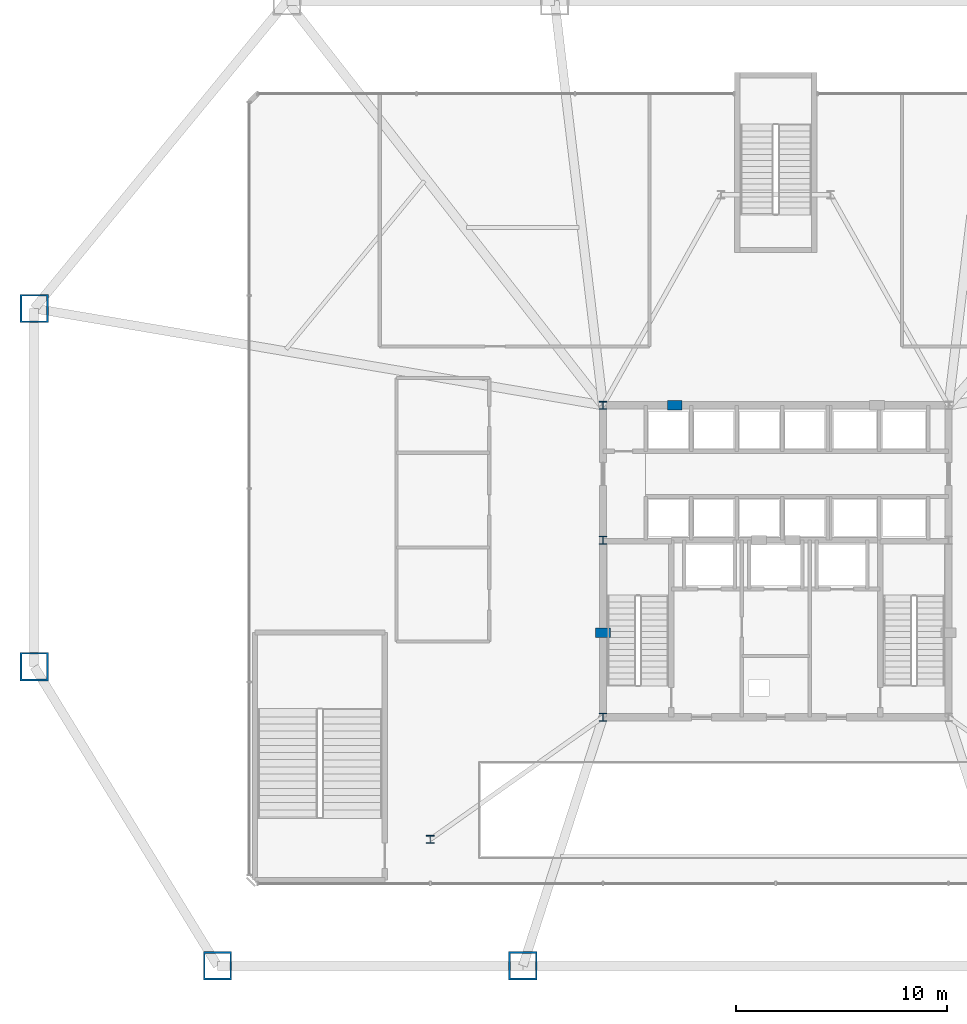
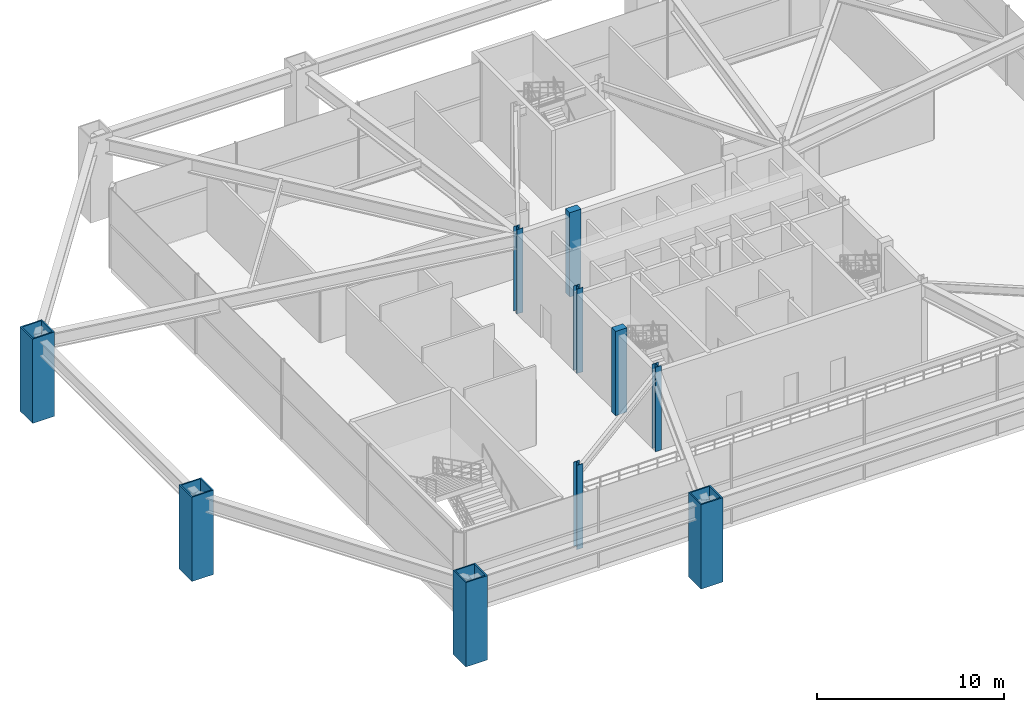
# One storey, part 1 of 18: 10 columns.
"""IFC4 building model written with IfcOpenShell, lengths in metres."""

import ifcopenshell
import ifcopenshell.guid

model = None  # the IFC model being written
_history = None  # IfcOwnerHistory: only IFC2X3 demands one
_inside = {}  # id of a spatial element -> (the spatial element, [elements in it])
_under = {}  # id of a project, library or spatial element -> (it, [spatial elements below it])
_declared = {}  # id of a project -> (the project, [libraries it declares])
_typed = {}  # id of a type object -> (the type object, [elements of that type])
_made_of = {}  # id of a material, layer set ... -> (it, [elements and type objects made of it])


def new_model(schema):
    """Start an empty IFC model of exactly this schema.

    Asked for "IFC4X3", IfcOpenShell would pick the latest addendum, in which some entities
    have other attributes; the version numbers below select the first issue.
    IFC2X3 requires an IfcOwnerHistory on every rooted entity: one is made here for all.
    """
    global model, _history
    if schema == "IFC4X3":
        model = ifcopenshell.file(schema_version=(4, 3, 0, 0))
    else:
        model = ifcopenshell.file(schema=schema)
    _inside.clear()
    _under.clear()
    _declared.clear()
    _typed.clear()
    _made_of.clear()
    _history = None
    if model.schema == "IFC2X3":
        org = make("IfcOrganization", Name="unknown")
        user = make(
            "IfcPersonAndOrganization",
            ThePerson=make("IfcPerson", FamilyName="unknown"),
            TheOrganization=org,
        )
        app = make(
            "IfcApplication",
            ApplicationDeveloper=org,
            Version="unknown",
            ApplicationFullName="unknown",
            ApplicationIdentifier="unknown",
        )
        _history = make(
            "IfcOwnerHistory",
            OwningUser=user,
            OwningApplication=app,
            ChangeAction="ADDED",
            CreationDate=0,
        )
    return model


def make(cls, **values):
    """One entity of the class cls with the attributes given. An attribute that is None is left unset."""
    return model.create_entity(
        cls, **{name: value for name, value in values.items() if value is not None}
    )


def rooted(cls, **values):
    """An entity with a GlobalId (a new one), such as an element, a storey or a relation."""
    return make(cls, GlobalId=ifcopenshell.guid.new(), OwnerHistory=_history, **values)


def si_unit(unit_type, name, prefix=None):
    """IfcSIUnit, for example si_unit("LENGTHUNIT", "METRE", prefix="MILLI")."""
    return make("IfcSIUnit", UnitType=unit_type, Prefix=prefix, Name=name)


def assignment(units):
    """IfcUnitAssignment: the units of a project."""
    return None if units is None else make("IfcUnitAssignment", Units=units)


def point(xyz):
    """IfcCartesianPoint."""
    return None if xyz is None else make("IfcCartesianPoint", Coordinates=xyz)


def direction(xyz):
    """IfcDirection."""
    return None if xyz is None else make("IfcDirection", DirectionRatios=xyz)


def frame(location, z_axis=None, x_axis=None):
    """IfcAxis2Placement3D, a coordinate frame: its origin and axes. An axis left out is left unset."""
    return make(
        "IfcAxis2Placement3D",
        Location=point(location),
        Axis=direction(z_axis),
        RefDirection=direction(x_axis),
    )


def frame_2d(location, x_axis=None):
    """IfcAxis2Placement2D, a coordinate frame in the plane: its origin and x axis."""
    return make(
        "IfcAxis2Placement2D", Location=point(location), RefDirection=direction(x_axis)
    )


def origin():
    """The frame at (0, 0, 0) with its axes left unset."""
    return frame((0.0, 0.0, 0.0))


def origin_2d():
    """The frame at (0, 0) in the plane with its x axis left unset."""
    return frame_2d((0.0, 0.0))


def place(relative_to, where):
    """IfcLocalPlacement: puts the frame where relative to a parent placement (None: the world)."""
    return make(
        "IfcLocalPlacement", PlacementRelTo=relative_to, RelativePlacement=where
    )


def context(
    kind, dimensions, precision=None, world=None, true_north=None, identifier=None
):
    """IfcGeometricRepresentationContext, for example the 3D "Model" context."""
    return make(
        "IfcGeometricRepresentationContext",
        ContextIdentifier=identifier,
        ContextType=kind,
        CoordinateSpaceDimension=dimensions,
        Precision=precision,
        WorldCoordinateSystem=world,
        TrueNorth=true_north,
    )


def subcontext(parent, identifier, kind, view, scale=None):
    """IfcGeometricRepresentationSubContext, for example "Body" below "Model"."""
    return make(
        "IfcGeometricRepresentationSubContext",
        ContextIdentifier=identifier,
        ContextType=kind,
        ParentContext=parent,
        TargetScale=scale,
        TargetView=view,
    )


def project(units=None, contexts=None):
    """IfcProject with its units and contexts."""
    return rooted(
        "IfcProject",
        Name="project",
        RepresentationContexts=contexts,
        UnitsInContext=assignment(units),
    )


def spatial(cls, under=None, at=None, **own):
    """A site, building, storey or space (cls), placed at a placement, below another one or the project."""
    s = rooted(cls, ObjectPlacement=at, **own)
    if under is not None:
        _under.setdefault(under.id(), (under, []))[1].append(s)
    return s


def profile(cls, at=None, kind="AREA", **sizes):
    """A parametric profile (cls). Its sizes go by their IFC names, for example OverallWidth=200.0."""
    return make(cls, ProfileType=kind, Position=at, **sizes)


def rectangle(**sizes):
    """IfcRectangleProfileDef."""
    return profile("IfcRectangleProfileDef", **sizes)


def hollow_rectangle(**sizes):
    """IfcRectangleHollowProfileDef."""
    return profile("IfcRectangleHollowProfileDef", **sizes)


def i_section(**sizes):
    """IfcIShapeProfileDef."""
    return profile("IfcIShapeProfileDef", **sizes)


def extrude(swept, where, along, depth):
    """IfcExtrudedAreaSolid: the profile swept, set in the frame where, extruded along a direction by depth."""
    return make(
        "IfcExtrudedAreaSolid",
        SweptArea=swept,
        Position=where,
        ExtrudedDirection=direction(along),
        Depth=depth,
    )


def shape(context_of_items, identifier, shape_type, items):
    """IfcShapeRepresentation: the items that make up one representation, for example the "Body"."""
    return make(
        "IfcShapeRepresentation",
        ContextOfItems=context_of_items,
        RepresentationIdentifier=identifier,
        RepresentationType=shape_type,
        Items=items,
    )


def material(Name=None, Category=None):
    """IfcMaterial."""
    return make("IfcMaterial", Name=Name, Category=Category)


def material_profile(
    of_material, cross_section, Name=None, Category=None, Priority=None
):
    """IfcMaterialProfile: a cross section and its material."""
    return make(
        "IfcMaterialProfile",
        Name=Name,
        Material=of_material,
        Profile=cross_section,
        Priority=Priority,
        Category=Category,
    )


def profile_set(profiles, Name=None, composite=None):
    """IfcMaterialProfileSet."""
    return make(
        "IfcMaterialProfileSet",
        Name=Name,
        MaterialProfiles=profiles,
        CompositeProfile=composite,
    )


def made_of(thing, what):
    """Note that an element or type object is made of a material, layer set ...; save() writes the relation."""
    if what is not None:
        _made_of.setdefault(what.id(), (what, []))[1].append(thing)
    return thing


def type_object(cls, material=None, **own):
    """A type object (cls), such as IfcWallType, which elements share."""
    return made_of(rooted(cls, **own), material)


def element(
    cls,
    number,
    at=None,
    inside=None,
    cuts=None,
    type_object=None,
    material=None,
    context=None,
    identifier="Body",
    shape_type=None,
    held_by="IfcProductDefinitionShape",
    body=None,
    shapes=None,
    **own,
):
    """One element of the class cls, such as IfcWall. Its Tag is "e" and its number.

    at: its placement. inside: the storey or other place that contains it. cuts: it is an
    opening in that element (IfcRelVoidsElement). A single representation is given by context,
    identifier, shape_type and body (its items); several are given by shapes. held_by: the class
    of the entity that holds the representations. save() writes the other relations.
    """
    e = rooted(cls, Tag="e%d" % number, ObjectPlacement=at, **own)
    if body is not None:
        shapes = [shape(context, identifier, shape_type, body)]
    if shapes is not None:
        e.Representation = make(held_by, Representations=shapes)
    if inside is not None:
        _inside.setdefault(inside.id(), (inside, []))[1].append(e)
    if cuts is not None:
        rooted(
            "IfcRelVoidsElement", RelatingBuildingElement=cuts, RelatedOpeningElement=e
        )
    if type_object is not None:
        _typed.setdefault(type_object.id(), (type_object, []))[1].append(e)
    return made_of(e, material)


def aggregate(whole, parts):
    """IfcRelAggregates: a whole, such as a stair, and the parts it consists of."""
    return rooted("IfcRelAggregates", RelatingObject=whole, RelatedObjects=parts)


def save(model, path):
    """Write the relations noted so far, then the file.

    IfcRelAggregates (storeys below a building ...), IfcRelContainedInSpatialStructure (elements
    in a storey), IfcRelDefinesByType, IfcRelAssociatesMaterial and IfcRelDeclares: one each for
    every whole, place, type object, material and project.
    """
    for whole, parts in _under.values():
        aggregate(whole, parts)
    for where, things in _inside.values():
        rooted(
            "IfcRelContainedInSpatialStructure",
            RelatedElements=things,
            RelatingStructure=where,
        )
    for kind, things in _typed.values():
        rooted("IfcRelDefinesByType", RelatedObjects=things, RelatingType=kind)
    for what, things in _made_of.values():
        rooted("IfcRelAssociatesMaterial", RelatedObjects=things, RelatingMaterial=what)
    for by, libraries in _declared.values():
        rooted("IfcRelDeclares", RelatingContext=by, RelatedDefinitions=libraries)
    model.write(path)


model = new_model("IFC4")

# Units and contexts
model_context = context("Model", 3, precision=1e-05, world=origin(), true_north=direction((0.0, 1.0)))
body_context = subcontext(model_context, "Body", "Model", "MODEL_VIEW")
ifc_project = project(units=[si_unit("LENGTHUNIT", "METRE"), si_unit("AREAUNIT", "SQUARE_METRE"), si_unit("VOLUMEUNIT", "CUBIC_METRE"), si_unit("PLANEANGLEUNIT", "RADIAN"), si_unit("MASSUNIT", "GRAM", prefix="KILO")], contexts=[model_context])

# Site, building, storey
site_placement = place(None, origin())
site = spatial("IfcSite", under=ifc_project, at=site_placement, CompositionType="ELEMENT")
building_placement = place(site_placement, origin())
building = spatial("IfcBuilding", under=site, at=building_placement, Name="Varakhsha Concourse Tower", CompositionType="ELEMENT")
storey_placement = place(building_placement, frame((0.0, 0.0, 5.5)))
storey = spatial("IfcBuildingStorey", under=building, at=storey_placement, Name="L02", CompositionType="ELEMENT", Elevation=5.5)

# Columns
ifc_material_1 = material(Name="Structural Steel ASTM A992 Grade 50", Category="steel")
ifc_material_profile_1 = material_profile(ifc_material_1, i_section(OverallWidth=0.3740234375, OverallDepth=0.3720703125, WebThickness=0.01611328125, FlangeThickness=0.02587890625, at=origin_2d()), Name="W14X132")
ifc_profile_set_1 = profile_set([ifc_material_profile_1], Name="Structural Steel ASTM A992 Grade 50")
column_type_1 = type_object("IfcColumnType", Name="CL-CORE-W14X132", PredefinedType="COLUMN", material=ifc_profile_set_1)
for number, where, z_axis, x_axis, name in (
    (1, (31.800048828125, 16.39990234375, 0.0), (0.0, 0.0, 1.0), (1.0, 0.0, 0.0), "L02 Core Column CC-SW"),
    (2, (31.800048828125, 24.800048828125, 0.0), (0.0, 0.0, 1.0), (1.0, 0.0, 0.0), "L02 Core Column CC-MW"),
    (3, (31.800048828125, 31.199951171875, 0.0), (0.0, 0.0, 1.0), (1.0, 0.0, 0.0), "L02 Core Column CC-NW"),
    (4, (23.60009765625, 10.60009765625, 0.0), (0.0, 0.0, 1.0), (1.0, 0.0, 0.0), "L02 Core Column SS-W"),
):
    element("IfcColumn", number, at=place(storey_placement, frame(where, z_axis=z_axis, x_axis=x_axis)), inside=storey, type_object=column_type_1, Name=name, PredefinedType="COLUMN", context=body_context, shape_type="SweptSolid", body=[
        extrude(i_section(OverallWidth=0.3740234375, OverallDepth=0.3720703125, WebThickness=0.01611328125, FlangeThickness=0.02587890625, at=origin_2d()), origin(), (0.0, 0.0, 1.0), 5.5),
    ])
ifc_material_2 = material(Name="Concrete fc 65 MPa", Category="concrete")
ifc_material_profile_2 = material_profile(ifc_material_2, rectangle(XDim=0.699951171875, YDim=0.449951171875, at=origin_2d()), Name="RC 700x450")
ifc_profile_set_2 = profile_set([ifc_material_profile_2], Name="Concrete fc 65 MPa")
column_type_2 = type_object("IfcColumnType", Name="CL-PIL-700X450", PredefinedType="PILASTER", material=ifc_profile_set_2)
for number, where, z_axis, x_axis, name in (
    (5, (31.800048828125, 20.39990234375, 0.0), (0.0, 0.0, 1.0), (1.0, 0.0, 0.0), "L02 Core Boundary Pilaster PIL-W1"),
    (6, (35.199951171875, 31.199951171875, 0.0), (0.0, 0.0, 1.0), (1.0, 0.0, 0.0), "L02 Core Boundary Pilaster PIL-N1"),
):
    element("IfcColumn", number, at=place(storey_placement, frame(where, z_axis=z_axis, x_axis=x_axis)), inside=storey, type_object=column_type_2, Name=name, PredefinedType="PILASTER", context=body_context, shape_type="SweptSolid", body=[
        extrude(rectangle(XDim=0.699951171875, YDim=0.449951171875, at=origin_2d()), origin(), (0.0, 0.0, 1.0), 5.5),
    ])
ifc_material_3 = material(Name="Structural Steel ASTM A572 Grade 50", Category="steel")
ifc_material_profile_3 = material_profile(ifc_material_3, hollow_rectangle(XDim=1.35009765625, YDim=1.35009765625, WallThickness=0.0849609375, at=origin_2d()), Name="BOX 1350x1350x85")
ifc_profile_set_3 = profile_set([ifc_material_profile_3], Name="Structural Steel ASTM A572 Grade 50")
column_type_3 = type_object("IfcColumnType", Name="CL-STILT-1350", PredefinedType="COLUMN", material=ifc_profile_set_3)
for number, where, z_axis, x_axis, name in (
    (7, (13.5, 4.60009765625, 0.0), (0.0, 0.0, 1.0), (1.0, 0.0, 0.0), "L02 Open Perimeter Box Stilt PC-S1"),
    (8, (28.0, 4.60009765625, 0.0), (0.0, 0.0, 1.0), (1.0, 0.0, 0.0), "L02 Open Perimeter Box Stilt PC-S2"),
    (9, (4.800048828125, 18.800048828125, 0.0), (0.0, 0.0, 1.0), (1.0, 0.0, 0.0), "L02 Open Perimeter Box Stilt PC-W1"),
    (10, (4.800048828125, 35.800048828125, 0.0), (0.0, 0.0, 1.0), (1.0, 0.0, 0.0), "L02 Open Perimeter Box Stilt PC-W2"),
):
    element("IfcColumn", number, at=place(storey_placement, frame(where, z_axis=z_axis, x_axis=x_axis)), inside=storey, type_object=column_type_3, Name=name, PredefinedType="COLUMN", context=body_context, shape_type="SweptSolid", body=[
        extrude(hollow_rectangle(XDim=1.35009765625, YDim=1.35009765625, WallThickness=0.0849609375, at=origin_2d()), origin(), (0.0, 0.0, 1.0), 5.5),
    ])

save(model, "model.ifc")
